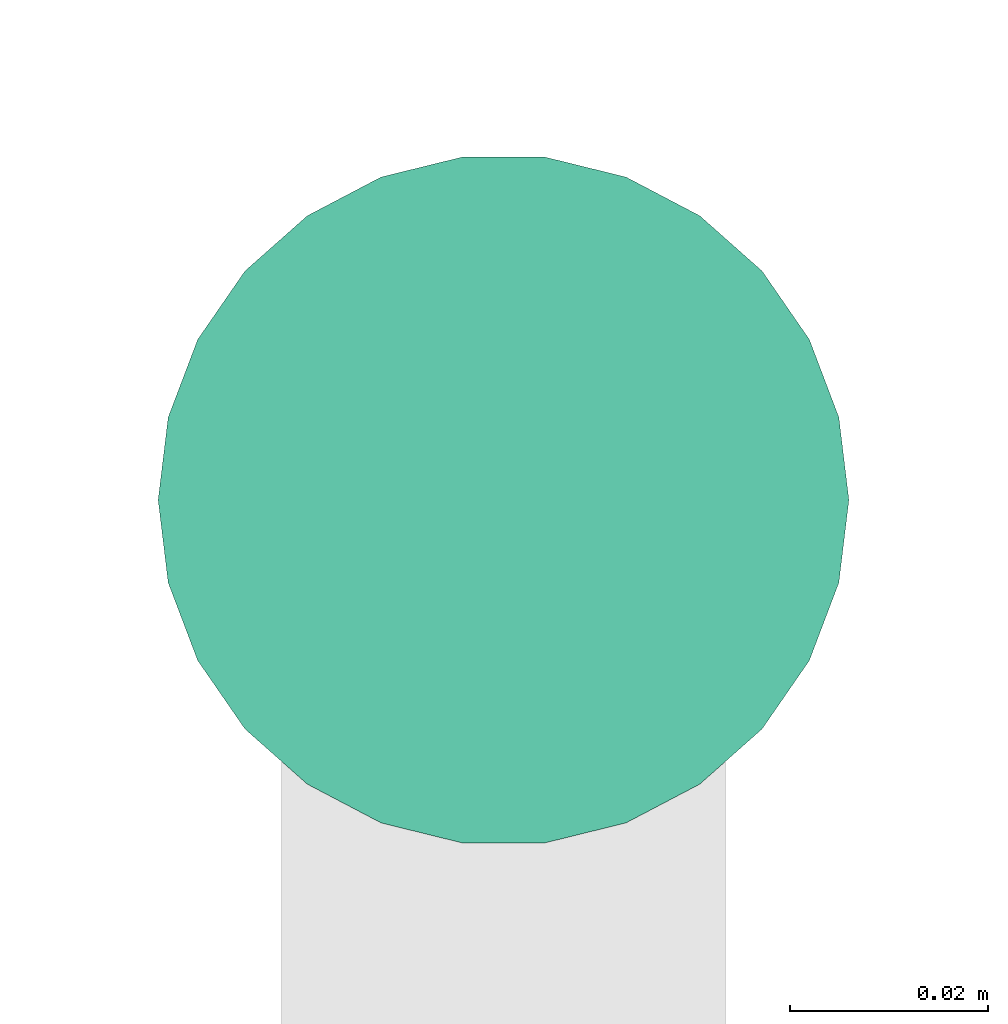
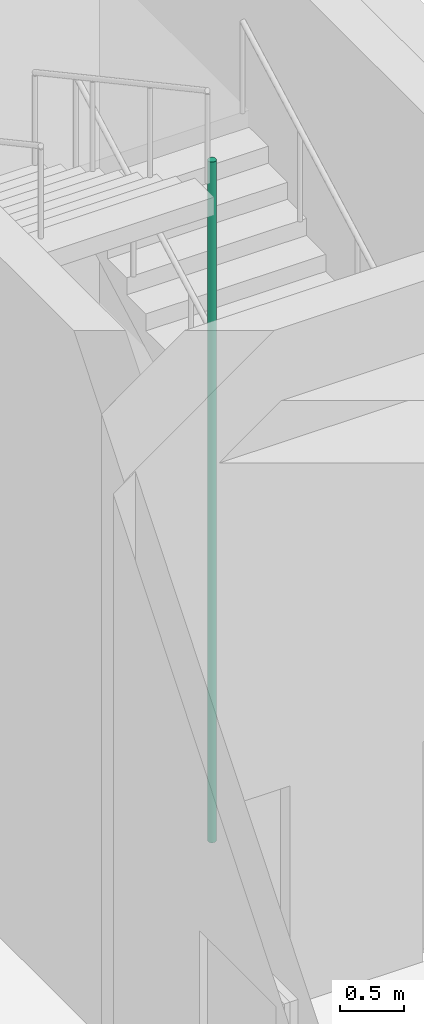
# One storey, part 36 of 45: 1 pipe segment.
"""IFC4 building model written with IfcOpenShell, lengths in metres."""

from ifc_helpers import new_model, si_unit, direction, frame, origin, origin_2d, place, context, subcontext, project, spatial, circle, extrude, element, save


model = new_model("IFC4")

# Units and contexts
model_context = context("Model", 3, precision=1e-05, world=origin(), true_north=direction((0.0, 1.0)))
body_context = subcontext(model_context, "Body", "Model", "MODEL_VIEW")
ifc_project = project(units=[si_unit("LENGTHUNIT", "METRE"), si_unit("AREAUNIT", "SQUARE_METRE"), si_unit("VOLUMEUNIT", "CUBIC_METRE"), si_unit("PLANEANGLEUNIT", "RADIAN"), si_unit("MASSUNIT", "GRAM", prefix="KILO")], contexts=[model_context])

# Site, building, storey
site_placement = place(None, origin())
site = spatial("IfcSite", under=ifc_project, at=site_placement, CompositionType="ELEMENT")
building_placement = place(site_placement, origin())
building = spatial("IfcBuilding", under=site, at=building_placement, Name="Nzadi Deep Aquarium and Research Tower", CompositionType="ELEMENT")
storey_placement = place(building_placement, origin())
storey = spatial("IfcBuildingStorey", under=building, at=storey_placement, Name="G", CompositionType="ELEMENT", Elevation=0.0)

# Pipe segment
pipe_segment_placement = place(storey_placement, frame((55.300048828125, 68.9599609375, 0.0), z_axis=(0.0, 0.0, 1.0), x_axis=(1.0, 0.0, 0.0)))
element("IfcPipeSegment", 1, at=pipe_segment_placement, inside=storey, Name="Dry riser ST-Z2-E G", PredefinedType="RIGIDSEGMENT", context=body_context, shape_type="SweptSolid", body=[
    extrude(circle(Radius=0.034912109375, at=origin_2d()), origin(), (0.0, 0.0, 1.0), 6.5),
])

save(model, "model.ifc")
